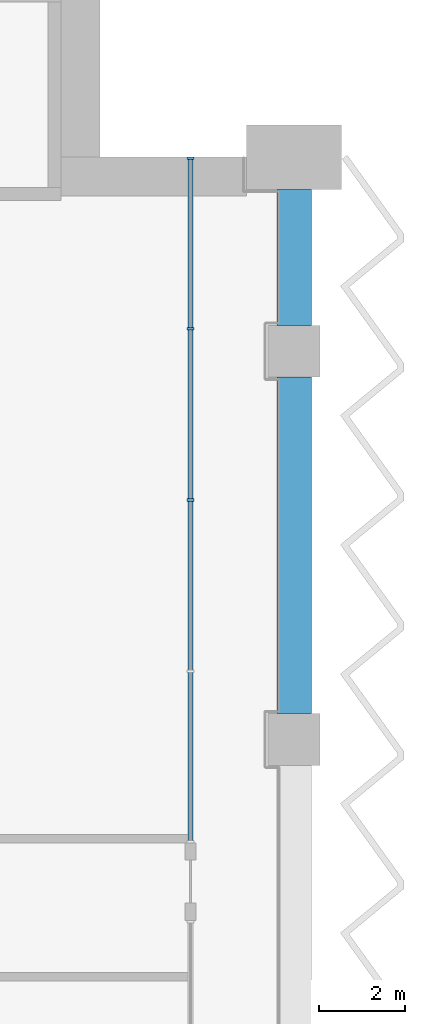
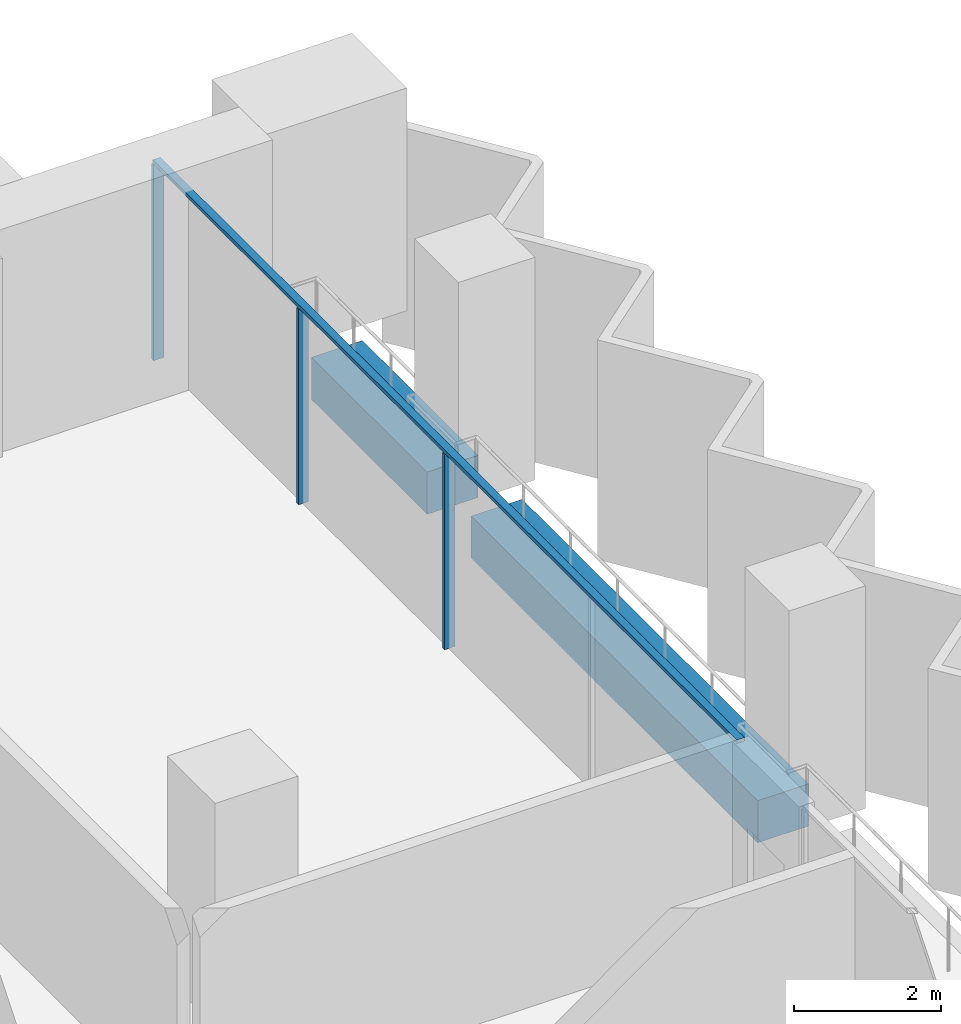
# One storey, part 6 of 23: 4 members, 2 beams, 1 element without a shape of its own.
"""IFC4 building model written with IfcOpenShell, lengths in metres."""

from ifc_helpers import new_model, si_unit, direction, frame, origin, origin_2d, place, context, subcontext, project, spatial, rectangle, extrude, material, material_profile, profile_set, type_object, element, aggregate, save


model = new_model("IFC4")

# Units and contexts
model_context = context("Model", 3, precision=1e-05, world=origin(), true_north=direction((0.0, 1.0)))
body_context = subcontext(model_context, "Body", "Model", "MODEL_VIEW")
ifc_project = project(units=[si_unit("LENGTHUNIT", "METRE"), si_unit("AREAUNIT", "SQUARE_METRE"), si_unit("VOLUMEUNIT", "CUBIC_METRE"), si_unit("PLANEANGLEUNIT", "RADIAN"), si_unit("MASSUNIT", "GRAM", prefix="KILO")], contexts=[model_context])

# Site, building, storey
site_placement = place(None, origin())
site = spatial("IfcSite", under=ifc_project, at=site_placement, CompositionType="ELEMENT")
building_placement = place(site_placement, origin())
building = spatial("IfcBuilding", under=site, at=building_placement, Name="Hunhe Ridgeline Campus", CompositionType="ELEMENT")
storey_placement = place(building_placement, frame((0.0, 0.0, 103.300048828125)))
storey = spatial("IfcBuildingStorey", under=building, at=storey_placement, Name="L25", CompositionType="ELEMENT", Elevation=103.300048828125)

# Curtain wall, members
ifc_material_1 = material(Name="Aluminium 6063", Category="aluminium")
curtain_wall_type = type_object("IfcCurtainWallType", Name="Curtain wall CW-1", PredefinedType="NOTDEFINED", material=ifc_material_1)
curtain_wall_placement = place(storey_placement, origin())
curtain_wall = element("IfcCurtainWall", 1, at=curtain_wall_placement, inside=storey, type_object=curtain_wall_type, Name="Curtain wall 15", PredefinedType="NOTDEFINED")
ifc_material_profile_1 = material_profile(ifc_material_1, rectangle(XDim=0.159912109375, YDim=0.06005859375, at=origin_2d()))
ifc_profile_set_1 = profile_set([ifc_material_profile_1], Name="Aluminium 6063")
member_type_1 = type_object("IfcMemberType", Name="CW-1 aluminium mullion", PredefinedType="MULLION", material=ifc_profile_set_1)
member_1_placement = place(storey_placement, frame((78.59912109375, 86.55029296875, 0.0), z_axis=(0.0, 0.0, 1.0), x_axis=(-1.0, 0.0, 0.0)))
member_1 = element("IfcMember", 2, at=member_1_placement, type_object=member_type_1, Name="CW-1 mullion 3", PredefinedType="MULLION", context=body_context, shape_type="SweptSolid", body=[
    extrude(rectangle(XDim=0.159912109375, YDim=0.06005859375, at=origin_2d()), origin(), (0.0, 0.0, 1.0), 3.239990234375),
])
member_2_placement = place(storey_placement, frame((78.59912109375, 90.525146484375, 0.0), z_axis=(0.0, 0.0, 1.0), x_axis=(-1.0, 0.0, 0.0)))
member_2 = element("IfcMember", 3, at=member_2_placement, type_object=member_type_1, Name="CW-1 mullion 4", PredefinedType="MULLION", context=body_context, shape_type="SweptSolid", body=[
    extrude(rectangle(XDim=0.159912109375, YDim=0.06005859375, at=origin_2d()), origin(), (0.0, 0.0, 1.0), 3.239990234375),
])
member_3_placement = place(storey_placement, frame((78.59912109375, 94.469970703125, 0.0), z_axis=(0.0, 0.0, 1.0), x_axis=(-1.0, 0.0, 0.0)))
member_3 = element("IfcMember", 4, at=member_3_placement, type_object=member_type_1, Name="CW-1 mullion 5", PredefinedType="MULLION", context=body_context, shape_type="SweptSolid", body=[
    extrude(rectangle(XDim=0.159912109375, YDim=0.06005859375, at=origin_2d()), origin(), (0.0, 0.0, 1.0), 3.239990234375),
])
ifc_material_profile_2 = material_profile(ifc_material_1, rectangle(XDim=0.1201171875, YDim=0.06005859375, at=origin_2d()))
ifc_profile_set_2 = profile_set([ifc_material_profile_2], Name="Aluminium 6063")
member_type_2 = type_object("IfcMemberType", Name="CW-1 aluminium transom", PredefinedType="USERDEFINED", material=ifc_profile_set_2)
member_4_placement = place(storey_placement, frame((78.59912109375, 78.6005859375, 3.27001953125), z_axis=(0.0, 1.0, 0.0), x_axis=(-1.0, 0.0, 0.0)))
member_4 = element("IfcMember", 5, at=member_4_placement, type_object=member_type_2, Name="CW-1 transom 1", ObjectType="TRANSOM", PredefinedType="USERDEFINED", context=body_context, shape_type="SweptSolid", body=[
    extrude(rectangle(XDim=0.1201171875, YDim=0.06005859375, at=origin_2d()), origin(), (0.0, 0.0, 1.0), 15.8994140625),
])
aggregate(curtain_wall, [member_4, member_1, member_2, member_3])

# Beams
ifc_material_2 = material(Name="Concrete C60", Category="concrete")
ifc_material_profile_3 = material_profile(ifc_material_2, rectangle(XDim=0.800048828125, YDim=0.699951171875, at=origin_2d()))
ifc_profile_set_3 = profile_set([ifc_material_profile_3], Name="Concrete C60")
beam_type = type_object("IfcBeamType", Name="RC spandrel beam 800x700 Concrete C60", PredefinedType="SPANDREL", material=ifc_profile_set_3)
beam_1_placement = place(storey_placement, frame((81.0, 81.60009765625, -0.60009765625), z_axis=(0.0, 1.0, 0.0), x_axis=(-1.0, 0.0, 0.0)))
element("IfcBeam", 6, at=beam_1_placement, inside=storey, type_object=beam_type, Name="Spandrel beam B1-21 L25", PredefinedType="SPANDREL", context=body_context, shape_type="SweptSolid", body=[
    extrude(rectangle(XDim=0.800048828125, YDim=0.699951171875, at=origin_2d()), origin(), (0.0, 0.0, 1.0), 7.7998046875),
])
beam_2_placement = place(storey_placement, frame((81.0, 90.60009765625, -0.60009765625), z_axis=(0.0, 1.0, 0.0), x_axis=(-1.0, 0.0, 0.0)))
element("IfcBeam", 7, at=beam_2_placement, inside=storey, type_object=beam_type, Name="Spandrel beam B1-22 L25", PredefinedType="SPANDREL", context=body_context, shape_type="SweptSolid", body=[
    extrude(rectangle(XDim=0.800048828125, YDim=0.699951171875, at=origin_2d()), origin(), (0.0, 0.0, 1.0), 3.14990234375),
])

save(model, "model.ifc")
